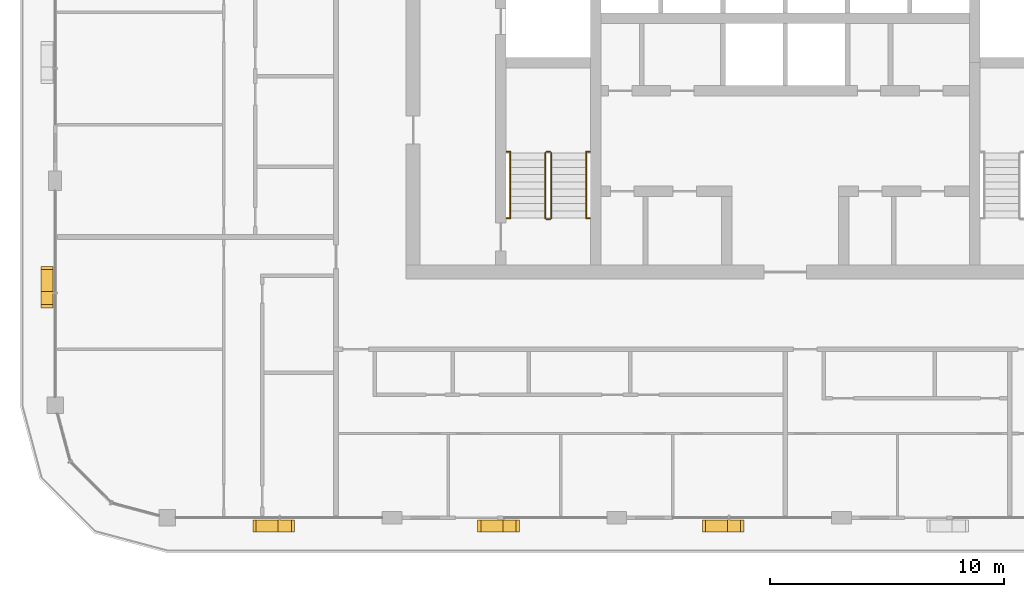
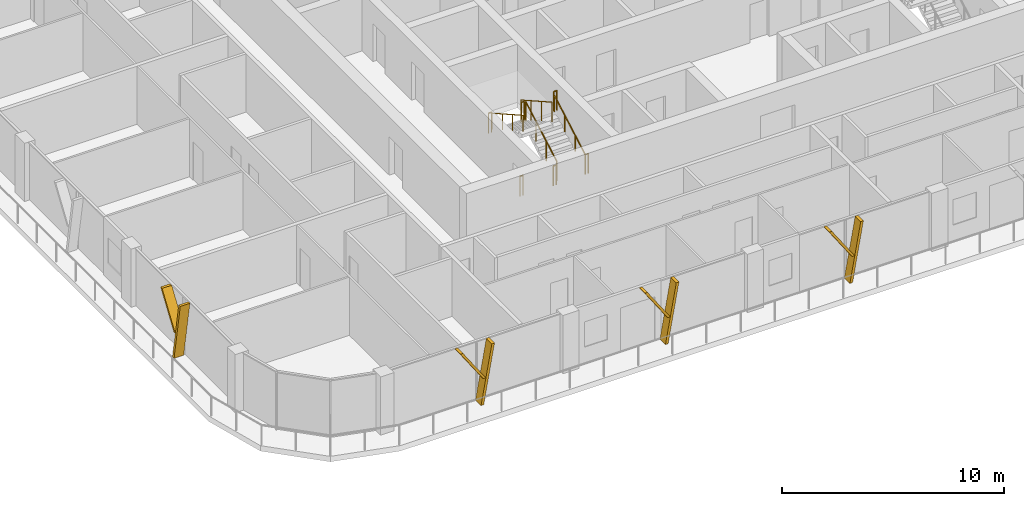
# One storey, part 16 of 21: 10 railings, 8 shading devices.
"""IFC4 building model written with IfcOpenShell, lengths in metres."""

import ifcopenshell
import ifcopenshell.guid

model = None  # the IFC model being written
_history = None  # IfcOwnerHistory: only IFC2X3 demands one
_inside = {}  # id of a spatial element -> (the spatial element, [elements in it])
_under = {}  # id of a project, library or spatial element -> (it, [spatial elements below it])
_declared = {}  # id of a project -> (the project, [libraries it declares])
_typed = {}  # id of a type object -> (the type object, [elements of that type])
_made_of = {}  # id of a material, layer set ... -> (it, [elements and type objects made of it])


def new_model(schema):
    """Start an empty IFC model of exactly this schema.

    Asked for "IFC4X3", IfcOpenShell would pick the latest addendum, in which some entities
    have other attributes; the version numbers below select the first issue.
    IFC2X3 requires an IfcOwnerHistory on every rooted entity: one is made here for all.
    """
    global model, _history
    if schema == "IFC4X3":
        model = ifcopenshell.file(schema_version=(4, 3, 0, 0))
    else:
        model = ifcopenshell.file(schema=schema)
    _inside.clear()
    _under.clear()
    _declared.clear()
    _typed.clear()
    _made_of.clear()
    _history = None
    if model.schema == "IFC2X3":
        org = make("IfcOrganization", Name="unknown")
        user = make(
            "IfcPersonAndOrganization",
            ThePerson=make("IfcPerson", FamilyName="unknown"),
            TheOrganization=org,
        )
        app = make(
            "IfcApplication",
            ApplicationDeveloper=org,
            Version="unknown",
            ApplicationFullName="unknown",
            ApplicationIdentifier="unknown",
        )
        _history = make(
            "IfcOwnerHistory",
            OwningUser=user,
            OwningApplication=app,
            ChangeAction="ADDED",
            CreationDate=0,
        )
    return model


def make(cls, **values):
    """One entity of the class cls with the attributes given. An attribute that is None is left unset."""
    return model.create_entity(
        cls, **{name: value for name, value in values.items() if value is not None}
    )


def rooted(cls, **values):
    """An entity with a GlobalId (a new one), such as an element, a storey or a relation."""
    return make(cls, GlobalId=ifcopenshell.guid.new(), OwnerHistory=_history, **values)


def si_unit(unit_type, name, prefix=None):
    """IfcSIUnit, for example si_unit("LENGTHUNIT", "METRE", prefix="MILLI")."""
    return make("IfcSIUnit", UnitType=unit_type, Prefix=prefix, Name=name)


def assignment(units):
    """IfcUnitAssignment: the units of a project."""
    return None if units is None else make("IfcUnitAssignment", Units=units)


def point(xyz):
    """IfcCartesianPoint."""
    return None if xyz is None else make("IfcCartesianPoint", Coordinates=xyz)


def direction(xyz):
    """IfcDirection."""
    return None if xyz is None else make("IfcDirection", DirectionRatios=xyz)


def frame(location, z_axis=None, x_axis=None):
    """IfcAxis2Placement3D, a coordinate frame: its origin and axes. An axis left out is left unset."""
    return make(
        "IfcAxis2Placement3D",
        Location=point(location),
        Axis=direction(z_axis),
        RefDirection=direction(x_axis),
    )


def frame_2d(location, x_axis=None):
    """IfcAxis2Placement2D, a coordinate frame in the plane: its origin and x axis."""
    return make(
        "IfcAxis2Placement2D", Location=point(location), RefDirection=direction(x_axis)
    )


def origin():
    """The frame at (0, 0, 0) with its axes left unset."""
    return frame((0.0, 0.0, 0.0))


def origin_2d():
    """The frame at (0, 0) in the plane with its x axis left unset."""
    return frame_2d((0.0, 0.0))


def place(relative_to, where):
    """IfcLocalPlacement: puts the frame where relative to a parent placement (None: the world)."""
    return make(
        "IfcLocalPlacement", PlacementRelTo=relative_to, RelativePlacement=where
    )


def context(
    kind, dimensions, precision=None, world=None, true_north=None, identifier=None
):
    """IfcGeometricRepresentationContext, for example the 3D "Model" context."""
    return make(
        "IfcGeometricRepresentationContext",
        ContextIdentifier=identifier,
        ContextType=kind,
        CoordinateSpaceDimension=dimensions,
        Precision=precision,
        WorldCoordinateSystem=world,
        TrueNorth=true_north,
    )


def subcontext(parent, identifier, kind, view, scale=None):
    """IfcGeometricRepresentationSubContext, for example "Body" below "Model"."""
    return make(
        "IfcGeometricRepresentationSubContext",
        ContextIdentifier=identifier,
        ContextType=kind,
        ParentContext=parent,
        TargetScale=scale,
        TargetView=view,
    )


def project(units=None, contexts=None):
    """IfcProject with its units and contexts."""
    return rooted(
        "IfcProject",
        Name="project",
        RepresentationContexts=contexts,
        UnitsInContext=assignment(units),
    )


def spatial(cls, under=None, at=None, **own):
    """A site, building, storey or space (cls), placed at a placement, below another one or the project."""
    s = rooted(cls, ObjectPlacement=at, **own)
    if under is not None:
        _under.setdefault(under.id(), (under, []))[1].append(s)
    return s


def polyline(points):
    """IfcPolyline through the points."""
    return make("IfcPolyline", Points=[point(p) for p in points])


def profile(cls, at=None, kind="AREA", **sizes):
    """A parametric profile (cls). Its sizes go by their IFC names, for example OverallWidth=200.0."""
    return make(cls, ProfileType=kind, Position=at, **sizes)


def circle(**sizes):
    """IfcCircleProfileDef."""
    return profile("IfcCircleProfileDef", **sizes)


def outline(outer, holes=None, kind="AREA"):
    """IfcArbitraryClosedProfileDef: a profile drawn as a closed curve; with holes, ...WithVoids."""
    if holes is None:
        return make("IfcArbitraryClosedProfileDef", ProfileType=kind, OuterCurve=outer)
    return make(
        "IfcArbitraryProfileDefWithVoids",
        ProfileType=kind,
        OuterCurve=outer,
        InnerCurves=holes,
    )


def extrude(swept, where, along, depth):
    """IfcExtrudedAreaSolid: the profile swept, set in the frame where, extruded along a direction by depth."""
    return make(
        "IfcExtrudedAreaSolid",
        SweptArea=swept,
        Position=where,
        ExtrudedDirection=direction(along),
        Depth=depth,
    )


def shape(context_of_items, identifier, shape_type, items):
    """IfcShapeRepresentation: the items that make up one representation, for example the "Body"."""
    return make(
        "IfcShapeRepresentation",
        ContextOfItems=context_of_items,
        RepresentationIdentifier=identifier,
        RepresentationType=shape_type,
        Items=items,
    )


def material(Name=None, Category=None):
    """IfcMaterial."""
    return make("IfcMaterial", Name=Name, Category=Category)


def made_of(thing, what):
    """Note that an element or type object is made of a material, layer set ...; save() writes the relation."""
    if what is not None:
        _made_of.setdefault(what.id(), (what, []))[1].append(thing)
    return thing


def type_object(cls, material=None, **own):
    """A type object (cls), such as IfcWallType, which elements share."""
    return made_of(rooted(cls, **own), material)


def element(
    cls,
    number,
    at=None,
    inside=None,
    cuts=None,
    type_object=None,
    material=None,
    context=None,
    identifier="Body",
    shape_type=None,
    held_by="IfcProductDefinitionShape",
    body=None,
    shapes=None,
    **own,
):
    """One element of the class cls, such as IfcWall. Its Tag is "e" and its number.

    at: its placement. inside: the storey or other place that contains it. cuts: it is an
    opening in that element (IfcRelVoidsElement). A single representation is given by context,
    identifier, shape_type and body (its items); several are given by shapes. held_by: the class
    of the entity that holds the representations. save() writes the other relations.
    """
    e = rooted(cls, Tag="e%d" % number, ObjectPlacement=at, **own)
    if body is not None:
        shapes = [shape(context, identifier, shape_type, body)]
    if shapes is not None:
        e.Representation = make(held_by, Representations=shapes)
    if inside is not None:
        _inside.setdefault(inside.id(), (inside, []))[1].append(e)
    if cuts is not None:
        rooted(
            "IfcRelVoidsElement", RelatingBuildingElement=cuts, RelatedOpeningElement=e
        )
    if type_object is not None:
        _typed.setdefault(type_object.id(), (type_object, []))[1].append(e)
    return made_of(e, material)


def aggregate(whole, parts):
    """IfcRelAggregates: a whole, such as a stair, and the parts it consists of."""
    return rooted("IfcRelAggregates", RelatingObject=whole, RelatedObjects=parts)


def save(model, path):
    """Write the relations noted so far, then the file.

    IfcRelAggregates (storeys below a building ...), IfcRelContainedInSpatialStructure (elements
    in a storey), IfcRelDefinesByType, IfcRelAssociatesMaterial and IfcRelDeclares: one each for
    every whole, place, type object, material and project.
    """
    for whole, parts in _under.values():
        aggregate(whole, parts)
    for where, things in _inside.values():
        rooted(
            "IfcRelContainedInSpatialStructure",
            RelatedElements=things,
            RelatingStructure=where,
        )
    for kind, things in _typed.values():
        rooted("IfcRelDefinesByType", RelatedObjects=things, RelatingType=kind)
    for what, things in _made_of.values():
        rooted("IfcRelAssociatesMaterial", RelatedObjects=things, RelatingMaterial=what)
    for by, libraries in _declared.values():
        rooted("IfcRelDeclares", RelatingContext=by, RelatedDefinitions=libraries)
    model.write(path)


model = new_model("IFC4")

# Units and contexts
model_context = context("Model", 3, precision=1e-05, world=origin(), true_north=direction((0.0, 1.0)))
body_context = subcontext(model_context, "Body", "Model", "MODEL_VIEW")
ifc_project = project(units=[si_unit("LENGTHUNIT", "METRE"), si_unit("AREAUNIT", "SQUARE_METRE"), si_unit("VOLUMEUNIT", "CUBIC_METRE"), si_unit("PLANEANGLEUNIT", "RADIAN"), si_unit("MASSUNIT", "GRAM", prefix="KILO")], contexts=[model_context])

# Site, building, storey
site_placement = place(None, origin())
site = spatial("IfcSite", under=ifc_project, at=site_placement, CompositionType="ELEMENT")
building_placement = place(site_placement, origin())
building = spatial("IfcBuilding", under=site, at=building_placement, Name="Madar Terraces", CompositionType="ELEMENT")
storey_placement = place(building_placement, frame((0.0, 0.0, 245.699951171875)))
storey = spatial("IfcBuildingStorey", under=building, at=storey_placement, Name="L64", CompositionType="ELEMENT", Elevation=245.699951171875)

# Shading devices
ifc_material_1 = material(Name="Aluminium, black anodised", Category="aluminium")
shading_device_type = type_object("IfcShadingDeviceType", Name="Facade fin blade 140 x 500", PredefinedType="USERDEFINED", material=ifc_material_1)
shading_device_1_placement = place(storey_placement, frame((9.530029296875, 4.449951171875, 0.0), z_axis=(0.0, 0.0, 1.0), x_axis=(1.0, 0.0, 0.0)))
element("IfcShadingDevice", 1, at=shading_device_1_placement, inside=storey, type_object=shading_device_type, Name="FIN L64 S1", ObjectType="FIN", PredefinedType="USERDEFINED", context=body_context, shape_type="SweptSolid", body=[
    extrude(outline(polyline([(0.0, 0.0), (0.139892578125, 0.0), (0.704345703125, 3.199951171875), (0.564208984375, 3.199951171875), (0.0, 0.0)])), frame((0.0, 0.25, 0.0), z_axis=(0.0, -1.0, 0.0), x_axis=(1.0, 0.0, 0.0)), (0.0, 0.0, 1.0), 0.5),
])
shading_device_2_placement = place(storey_placement, frame((9.643798828125, 4.449951171875, 1.43994140625), z_axis=(0.0, 0.0, 1.0), x_axis=(1.0, 0.0, 0.0)))
element("IfcShadingDevice", 2, at=shading_device_2_placement, inside=storey, type_object=shading_device_type, Name="FIN L64 S1 branch", ObjectType="FIN", PredefinedType="USERDEFINED", context=body_context, shape_type="SweptSolid", body=[
    extrude(outline(polyline([(0.0, 0.0), (0.14013671875, 0.0), (-1.049560546875, 1.760009765625), (-1.189697265625, 1.760009765625), (0.0, 0.0)])), frame((0.0, 0.25, 0.0), z_axis=(0.0, -1.0, 0.0), x_axis=(1.0, 0.0, 0.0)), (0.0, 0.0, 1.0), 0.5),
])
shading_device_3_placement = place(storey_placement, frame((19.1298828125, 4.449951171875, 0.0), z_axis=(0.0, 0.0, 1.0), x_axis=(1.0, 0.0, 0.0)))
element("IfcShadingDevice", 3, at=shading_device_3_placement, inside=storey, type_object=shading_device_type, Name="FIN L64 S2", ObjectType="FIN", PredefinedType="USERDEFINED", context=body_context, shape_type="SweptSolid", body=[
    extrude(outline(polyline([(0.0, 0.0), (0.14013671875, 0.0), (0.704345703125, 3.199951171875), (0.564208984375, 3.199951171875), (0.0, 0.0)])), frame((0.0, 0.25, 0.0), z_axis=(0.0, -1.0, 0.0), x_axis=(1.0, 0.0, 0.0)), (0.0, 0.0, 1.0), 0.5),
])
shading_device_4_placement = place(storey_placement, frame((19.243896484375, 4.449951171875, 1.43994140625), z_axis=(0.0, 0.0, 1.0), x_axis=(1.0, 0.0, 0.0)))
element("IfcShadingDevice", 4, at=shading_device_4_placement, inside=storey, type_object=shading_device_type, Name="FIN L64 S2 branch", ObjectType="FIN", PredefinedType="USERDEFINED", context=body_context, shape_type="SweptSolid", body=[
    extrude(outline(polyline([(0.0, 0.0), (0.139892578125, 0.0), (-1.049560546875, 1.760009765625), (-1.189697265625, 1.760009765625), (0.0, 0.0)])), frame((0.0, 0.25, 0.0), z_axis=(0.0, -1.0, 0.0), x_axis=(1.0, 0.0, 0.0)), (0.0, 0.0, 1.0), 0.5),
])
shading_device_5_placement = place(storey_placement, frame((28.72998046875, 4.449951171875, 0.0), z_axis=(0.0, 0.0, 1.0), x_axis=(1.0, 0.0, 0.0)))
element("IfcShadingDevice", 5, at=shading_device_5_placement, inside=storey, type_object=shading_device_type, Name="FIN L64 S3", ObjectType="FIN", PredefinedType="USERDEFINED", context=body_context, shape_type="SweptSolid", body=[
    extrude(outline(polyline([(0.0, 0.0), (0.14013671875, 0.0), (0.704345703125, 3.199951171875), (0.564208984375, 3.199951171875), (0.0, 0.0)])), frame((0.0, 0.25, 0.0), z_axis=(0.0, -1.0, 0.0), x_axis=(1.0, 0.0, 0.0)), (0.0, 0.0, 1.0), 0.5),
])
shading_device_6_placement = place(storey_placement, frame((28.843994140625, 4.449951171875, 1.43994140625), z_axis=(0.0, 0.0, 1.0), x_axis=(1.0, 0.0, 0.0)))
element("IfcShadingDevice", 6, at=shading_device_6_placement, inside=storey, type_object=shading_device_type, Name="FIN L64 S3 branch", ObjectType="FIN", PredefinedType="USERDEFINED", context=body_context, shape_type="SweptSolid", body=[
    extrude(outline(polyline([(0.0, 0.0), (0.139892578125, 0.0), (-1.049560546875, 1.760009765625), (-1.189697265625, 1.760009765625), (0.0, 0.0)])), frame((0.0, 0.25, 0.0), z_axis=(0.0, -1.0, 0.0), x_axis=(1.0, 0.0, 0.0)), (0.0, 0.0, 1.0), 0.5),
])
shading_device_7_placement = place(storey_placement, frame((-0.35009765625, 14.469970703125, 0.0), z_axis=(0.0, 0.0, 1.0), x_axis=(0.0, -1.0, 0.0)))
element("IfcShadingDevice", 7, at=shading_device_7_placement, inside=storey, type_object=shading_device_type, Name="FIN L64 W4", ObjectType="FIN", PredefinedType="USERDEFINED", context=body_context, shape_type="SweptSolid", body=[
    extrude(outline(polyline([(0.0, 0.0), (0.139892578125, 0.0), (0.704345703125, 3.199951171875), (0.564208984375, 3.199951171875), (0.0, 0.0)])), frame((0.0, 0.25, 0.0), z_axis=(0.0, -1.0, 0.0), x_axis=(1.0, 0.0, 0.0)), (0.0, 0.0, 1.0), 0.5),
])
shading_device_8_placement = place(storey_placement, frame((-0.35009765625, 14.356201171875, 1.43994140625), z_axis=(0.0, 0.0, 1.0), x_axis=(0.0, -1.0, 0.0)))
element("IfcShadingDevice", 8, at=shading_device_8_placement, inside=storey, type_object=shading_device_type, Name="FIN L64 W4 branch", ObjectType="FIN", PredefinedType="USERDEFINED", context=body_context, shape_type="SweptSolid", body=[
    extrude(outline(polyline([(0.0, 0.0), (0.14013671875, 0.0), (-1.049560546875, 1.760009765625), (-1.189697265625, 1.760009765625), (0.0, 0.0)])), frame((0.0, 0.25, 0.0), z_axis=(0.0, -1.0, 0.0), x_axis=(1.0, 0.0, 0.0)), (0.0, 0.0, 1.0), 0.5),
])

# Railings
ifc_material_2 = material(Name="Stainless steel railing", Category="steel")
railing_type_1 = type_object("IfcRailingType", Name="Stair guard 1100", PredefinedType="GUARDRAIL", material=ifc_material_2)
railing_1_placement = place(storey_placement, frame((21.199951171875, 17.60009765625, 0.175048828125)))
element("IfcRailing", 9, at=railing_1_placement, inside=storey, type_object=railing_type_1, Name="L64 ST1 stair guard 1", PredefinedType="GUARDRAIL", context=body_context, shape_type="SweptSolid", body=[
    extrude(circle(Radius=0.02392578125, at=origin_2d()), frame((0.0, 0.0, 1.076171875), z_axis=(0.0, 0.870815363784, 0.491610213684), x_axis=(-1.0, 0.0, 0.0)), (0.0, 0.0, 1.0), 3.20361328125),
    extrude(circle(Radius=0.02099609375, at=origin_2d()), origin(), (0.0, 0.0, 1.0), 1.052001953125),
    extrude(circle(Radius=0.02099609375, at=origin_2d()), frame((0.0, 0.929931640625, 0.52490234375)), (0.0, 0.0, 1.0), 1.052001953125),
    extrude(circle(Radius=0.02099609375, at=origin_2d()), frame((0.0, 1.85986328125, 1.050048828125)), (0.0, 0.0, 1.0), 1.052001953125),
    extrude(circle(Radius=0.02099609375, at=origin_2d()), frame((0.0, 2.789794921875, 1.574951171875)), (0.0, 0.0, 1.0), 1.052001953125),
])
railing_2_placement = place(storey_placement, frame((21.14990234375, 20.43994140625, 1.75)))
element("IfcRailing", 10, at=railing_2_placement, inside=storey, type_object=railing_type_1, Name="L64 ST1 stair guard 2", PredefinedType="GUARDRAIL", context=body_context, shape_type="SweptSolid", body=[
    extrude(circle(Radius=0.02392578125, at=origin_2d()), frame((0.0, 0.0, 1.076171875), z_axis=(-1.0, 0.0, 0.0), x_axis=(0.0, -1.0, 0.0)), (0.0, 0.0, 1.0), 0.14990234375),
    extrude(circle(Radius=0.02099609375, at=origin_2d()), origin(), (0.0, 0.0, 1.0), 1.052001953125),
    extrude(circle(Radius=0.02099609375, at=origin_2d()), frame((-0.14990234375, 0.0, 0.0)), (0.0, 0.0, 1.0), 1.052001953125),
])
railing_3_placement = place(storey_placement, frame((20.949951171875, 20.389892578125, 1.925048828125)))
element("IfcRailing", 11, at=railing_3_placement, inside=storey, type_object=railing_type_1, Name="L64 ST1 stair guard 3", PredefinedType="GUARDRAIL", context=body_context, shape_type="SweptSolid", body=[
    extrude(circle(Radius=0.02392578125, at=origin_2d()), frame((0.0, 0.0, 1.076171875), z_axis=(0.0, -0.870815363784, 0.491610213684), x_axis=(1.0, 0.0, 0.0)), (0.0, 0.0, 1.0), 3.20361328125),
    extrude(circle(Radius=0.02099609375, at=origin_2d()), origin(), (0.0, 0.0, 1.0), 1.052001953125),
    extrude(circle(Radius=0.02099609375, at=origin_2d()), frame((0.0, -0.929931640625, 0.52490234375)), (0.0, 0.0, 1.0), 1.052001953125),
    extrude(circle(Radius=0.02099609375, at=origin_2d()), frame((0.0, -1.85986328125, 1.050048828125)), (0.0, 0.0, 1.0), 1.052001953125),
    extrude(circle(Radius=0.02099609375, at=origin_2d()), frame((0.0, -2.789794921875, 1.574951171875)), (0.0, 0.0, 1.0), 1.052001953125),
])
railing_4_placement = place(storey_placement, frame((21.14990234375, 17.550048828125, 0.0)))
element("IfcRailing", 12, at=railing_4_placement, inside=storey, type_object=railing_type_1, Name="L64 ST1 stair guard 4", PredefinedType="GUARDRAIL", context=body_context, shape_type="SweptSolid", body=[
    extrude(circle(Radius=0.02392578125, at=origin_2d()), frame((0.0, 0.0, 1.076171875), z_axis=(-1.0, 0.0, 0.0), x_axis=(0.0, -1.0, 0.0)), (0.0, 0.0, 1.0), 0.14990234375),
    extrude(circle(Radius=0.02099609375, at=origin_2d()), origin(), (0.0, 0.0, 1.0), 1.052001953125),
    extrude(circle(Radius=0.02099609375, at=origin_2d()), frame((-0.14990234375, 0.0, 0.0)), (0.0, 0.0, 1.0), 1.052001953125),
])
for number, where, name in (
    (13, (19.294921875, 20.43994140625, 1.75), "L64 stair guard seat 1"),
    (14, (22.699951171875, 20.43994140625, 1.75), "L64 stair guard seat 2"),
    (15, (19.294921875, 17.60009765625, 0.0), "L64 stair guard floor 1"),
    (16, (22.699951171875, 17.60009765625, 0.0), "L64 stair guard floor 2"),
):
    element("IfcRailing", number, at=place(storey_placement, frame(where)), inside=storey, type_object=railing_type_1, Name=name, PredefinedType="GUARDRAIL", context=body_context, shape_type="SweptSolid", body=[
        extrude(circle(Radius=0.02392578125, at=origin_2d()), frame((0.0, 0.0, 1.076171875), z_axis=(1.0, 0.0, 0.0), x_axis=(0.0, 1.0, 0.0)), (0.0, 0.0, 1.0), 0.155029296875),
        extrude(circle(Radius=0.02099609375, at=origin_2d()), origin(), (0.0, 0.0, 1.0), 1.052001953125),
        extrude(circle(Radius=0.02099609375, at=origin_2d()), frame((0.155029296875, 0.0, 0.0)), (0.0, 0.0, 1.0), 1.052001953125),
    ])
ifc_material_3 = material(Name="Stainless steel railing", Category="steel")
railing_type_2 = type_object("IfcRailingType", Name="Stair handrail 900", PredefinedType="HANDRAIL", material=ifc_material_3)
railing_5_placement = place(storey_placement, frame((22.699951171875, 17.60009765625, 0.175048828125)))
element("IfcRailing", 17, at=railing_5_placement, inside=storey, type_object=railing_type_2, Name="L64 ST1 stair handrail 1", PredefinedType="HANDRAIL", context=body_context, shape_type="SweptSolid", body=[
    extrude(circle(Radius=0.02392578125, at=origin_2d()), frame((0.0, 0.0, 0.8759765625), z_axis=(0.0, 0.870815363784, 0.491610213684), x_axis=(-1.0, 0.0, 0.0)), (0.0, 0.0, 1.0), 3.20361328125),
    extrude(circle(Radius=0.02099609375, at=origin_2d()), origin(), (0.0, 0.0, 1.0), 0.851806640625),
    extrude(circle(Radius=0.02099609375, at=origin_2d()), frame((0.0, 0.929931640625, 0.52490234375)), (0.0, 0.0, 1.0), 0.851806640625),
    extrude(circle(Radius=0.02099609375, at=origin_2d()), frame((0.0, 1.85986328125, 1.050048828125)), (0.0, 0.0, 1.0), 0.851806640625),
    extrude(circle(Radius=0.02099609375, at=origin_2d()), frame((0.0, 2.789794921875, 1.574951171875)), (0.0, 0.0, 1.0), 0.851806640625),
])
railing_6_placement = place(storey_placement, frame((19.449951171875, 20.389892578125, 1.925048828125)))
element("IfcRailing", 18, at=railing_6_placement, inside=storey, type_object=railing_type_2, Name="L64 ST1 stair handrail 2", PredefinedType="HANDRAIL", context=body_context, shape_type="SweptSolid", body=[
    extrude(circle(Radius=0.02392578125, at=origin_2d()), frame((0.0, 0.0, 0.8759765625), z_axis=(0.0, -0.870815363784, 0.491610213684), x_axis=(1.0, 0.0, 0.0)), (0.0, 0.0, 1.0), 3.20361328125),
    extrude(circle(Radius=0.02099609375, at=origin_2d()), origin(), (0.0, 0.0, 1.0), 0.851806640625),
    extrude(circle(Radius=0.02099609375, at=origin_2d()), frame((0.0, -0.929931640625, 0.52490234375)), (0.0, 0.0, 1.0), 0.851806640625),
    extrude(circle(Radius=0.02099609375, at=origin_2d()), frame((0.0, -1.85986328125, 1.050048828125)), (0.0, 0.0, 1.0), 0.851806640625),
    extrude(circle(Radius=0.02099609375, at=origin_2d()), frame((0.0, -2.789794921875, 1.574951171875)), (0.0, 0.0, 1.0), 0.851806640625),
])

save(model, "model.ifc")
